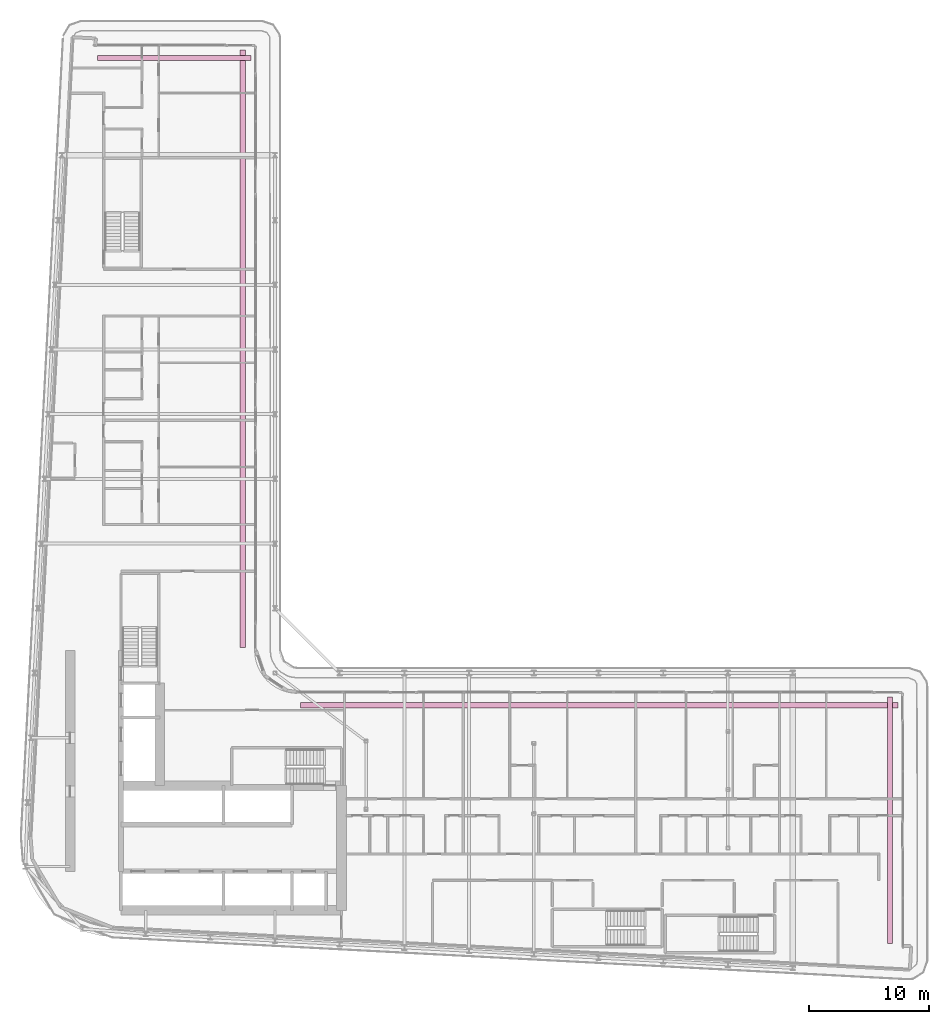
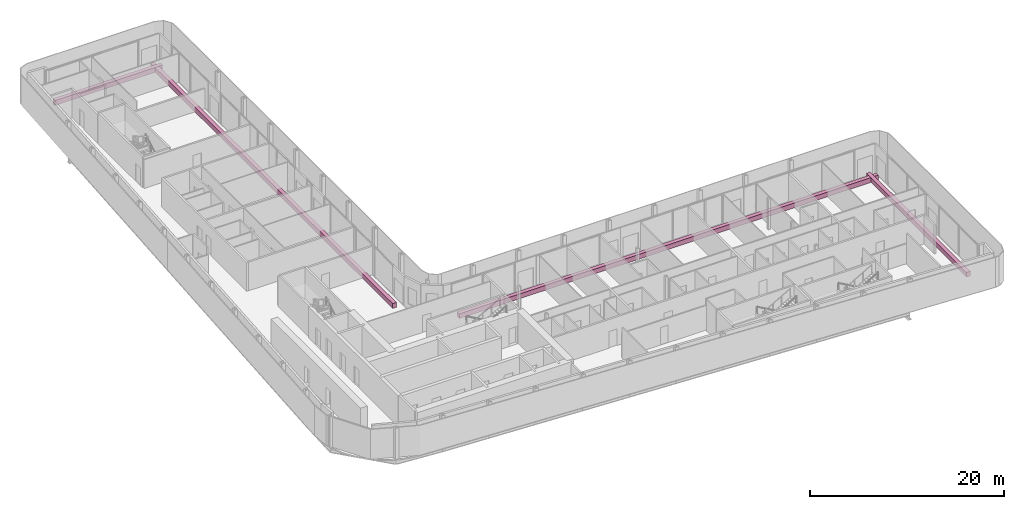
# One storey, part 29 of 29: 4 furniture elements.
"""IFC4 building model written with IfcOpenShell, lengths in metres."""

from ifc_helpers import new_model, si_unit, direction, frame, origin, origin_2d, place, context, subcontext, project, spatial, rectangle, extrude, material, type_object, element, save


model = new_model("IFC4")

# Units and contexts
model_context = context("Model", 3, precision=1e-05, world=origin(), true_north=direction((0.0, 1.0)))
body_context = subcontext(model_context, "Body", "Model", "MODEL_VIEW")
ifc_project = project(units=[si_unit("LENGTHUNIT", "METRE"), si_unit("AREAUNIT", "SQUARE_METRE"), si_unit("VOLUMEUNIT", "CUBIC_METRE"), si_unit("PLANEANGLEUNIT", "RADIAN"), si_unit("MASSUNIT", "GRAM", prefix="KILO")], contexts=[model_context])

# Site, building, storey
site_placement = place(None, origin())
site = spatial("IfcSite", under=ifc_project, at=site_placement, CompositionType="ELEMENT")
building_placement = place(site_placement, origin())
building = spatial("IfcBuilding", under=site, at=building_placement, Name="Kheshtan School and Residences Tower", CompositionType="ELEMENT")
storey_placement = place(building_placement, frame((0.0, 0.0, 176.0)))
storey = spatial("IfcBuildingStorey", under=building, at=storey_placement, Name="L41", CompositionType="ELEMENT", Elevation=176.0)

# Furniture
ifc_material = material(Name="Precast concrete C30/37 in terracotta finish", Category="masonry")
furniture_type = type_object("IfcFurnitureType", Name="Planter trough", AssemblyPlace="NOTDEFINED", PredefinedType="USERDEFINED", material=ifc_material)
furniture_1_placement = place(storey_placement, frame((39.196044921875, 96.925048828125, 0.0), z_axis=(0.0, 0.0, 1.0), x_axis=(1.0, 0.0, 0.0)))
element("IfcFurniture", 1, at=furniture_1_placement, inside=storey, type_object=furniture_type, Name="Planter L41", ObjectType="PLANTER", PredefinedType="USERDEFINED", context=body_context, shape_type="SweptSolid", body=[
    extrude(rectangle(XDim=12.80810546875, YDim=0.449951171875, at=origin_2d()), origin(), (0.0, 0.0, 1.0), 0.60009765625),
])
for number, where, z_axis, x_axis, name in (
    (2, (44.925048828125, 72.6650390625, 0.0), (0.0, 0.0, 1.0), (0.0, -1.0, 0.0), "Planter L41"),
    (3, (74.6650390625, 42.925048828125, 0.0), (0.0, 0.0, 1.0), (1.0, 0.0, 0.0), "Planter L41"),
):
    element("IfcFurniture", number, at=place(storey_placement, frame(where, z_axis=z_axis, x_axis=x_axis)), inside=storey, type_object=furniture_type, Name=name, ObjectType="PLANTER", PredefinedType="USERDEFINED", context=body_context, shape_type="SweptSolid", body=[
        extrude(rectangle(XDim=49.8701171875, YDim=0.449951171875, at=origin_2d()), origin(), (0.0, 0.0, 1.0), 0.60009765625),
    ])
furniture_2_placement = place(storey_placement, frame((98.925048828125, 33.306884765625, 0.0), z_axis=(0.0, 0.0, 1.0), x_axis=(0.0, -1.0, 0.0)))
element("IfcFurniture", 4, at=furniture_2_placement, inside=storey, type_object=furniture_type, Name="Planter L41", ObjectType="PLANTER", PredefinedType="USERDEFINED", context=body_context, shape_type="SweptSolid", body=[
    extrude(rectangle(XDim=20.5859375, YDim=0.449951171875, at=origin_2d()), origin(), (0.0, 0.0, 1.0), 0.60009765625),
])

save(model, "model.ifc")
